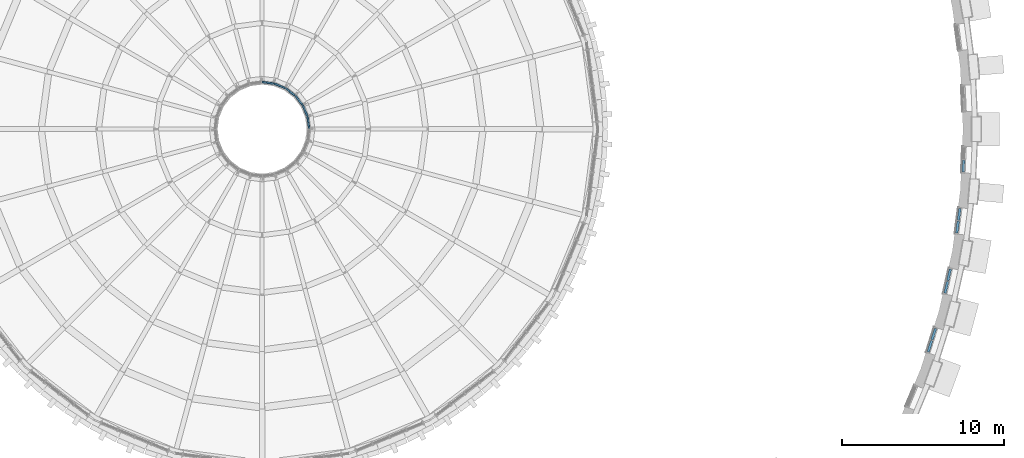
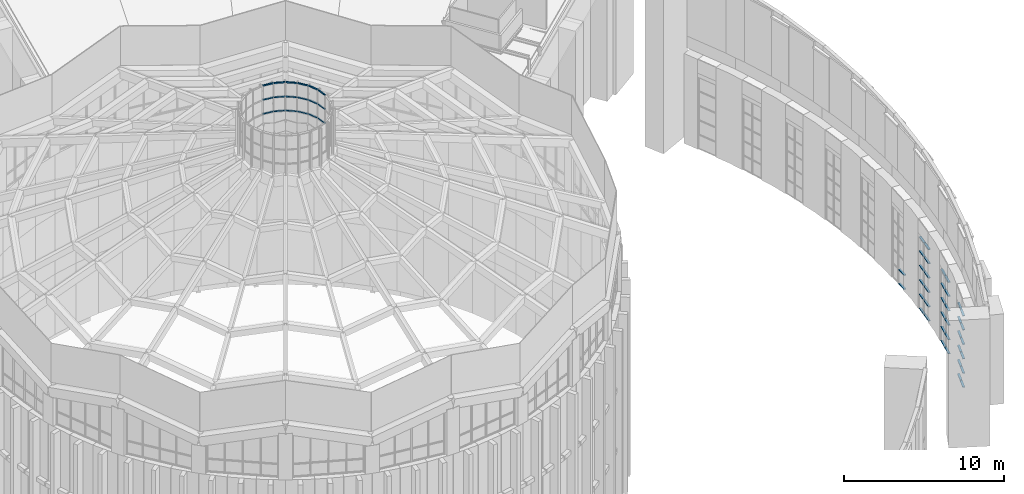
# One storey, part 33 of 82: 56 members, 10 elements without a shape of their own.
"""IFC4 building model written with IfcOpenShell, lengths in metres."""

from ifc_helpers import new_model, si_unit, direction, frame, origin, origin_2d, place, context, subcontext, project, spatial, rectangle, extrude, material, layer, layer_set, material_profile, profile_set, type_object, element, aggregate, save


model = new_model("IFC4")

# Units and contexts
model_context = context("Model", 3, precision=1e-05, world=origin(), true_north=direction((0.0, 1.0)))
body_context = subcontext(model_context, "Body", "Model", "MODEL_VIEW")
ifc_project = project(units=[si_unit("LENGTHUNIT", "METRE"), si_unit("AREAUNIT", "SQUARE_METRE"), si_unit("VOLUMEUNIT", "CUBIC_METRE"), si_unit("PLANEANGLEUNIT", "RADIAN"), si_unit("MASSUNIT", "GRAM", prefix="KILO")], contexts=[model_context])

# Site, building, storey
site_placement = place(None, origin())
site = spatial("IfcSite", under=ifc_project, at=site_placement, CompositionType="ELEMENT")
building_placement = place(site_placement, origin())
building = spatial("IfcBuilding", under=site, at=building_placement, Name="Volute Hill Aquarium", CompositionType="ELEMENT")
storey_placement = place(building_placement, frame((0.0, 0.0, 13.800048828125)))
storey = spatial("IfcBuildingStorey", under=building, at=storey_placement, Name="L04", CompositionType="ELEMENT", Elevation=13.800048828125)

# Curtain wall, members
ifc_material_1 = material(Name="Aluminium", Category="aluminium")
ifc_layer_1 = layer(ifc_material_1, 0.25)
ifc_layer_set_1 = layer_set([ifc_layer_1], Name="Curtain wall niche S4 module 819")
curtain_wall_type_1 = type_object("IfcCurtainWallType", Name="Curtain wall niche S4 module 819", PredefinedType="NOTDEFINED", material=ifc_layer_set_1)
curtain_wall_1_placement = place(storey_placement, origin())
curtain_wall_1 = element("IfcCurtainWall", 1, at=curtain_wall_1_placement, inside=storey, type_object=curtain_wall_type_1, Name="Curtain wall CW S4 L04 2", PredefinedType="NOTDEFINED")
ifc_material_2 = material(Name="Aluminium", Category="aluminium")
ifc_material_profile_1 = material_profile(ifc_material_2, rectangle(XDim=0.14990234375, YDim=0.06005859375, at=origin_2d()), Name="Curtain wall transom S4 60x150")
ifc_profile_set_1 = profile_set([ifc_material_profile_1], Name="Aluminium")
member_type_1 = type_object("IfcMemberType", Name="Curtain wall transom S4 60x150", PredefinedType="USERDEFINED", material=ifc_profile_set_1)
member_1_placement = place(storey_placement, frame((41.052001953125, -13.7392578125, 0.030029296875), z_axis=(0.300810716557, 0.953683864184, 0.0), x_axis=(-0.953683864184, 0.300810716557, 0.0)))
member_1 = element("IfcMember", 2, at=member_1_placement, type_object=member_type_1, Name="CW transom 1.1", ObjectType="TRANSOM", PredefinedType="USERDEFINED", context=body_context, shape_type="SweptSolid", body=[
    extrude(rectangle(XDim=0.14990234375, YDim=0.06005859375, at=origin_2d()), origin(), (0.0, 0.0, 1.0), 0.728759765625),
])
member_2_placement = place(storey_placement, frame((41.052001953125, -13.7392578125, 1.10205078125), z_axis=(0.300810716557, 0.953683864184, 0.0), x_axis=(-0.953683864184, 0.300810716557, 0.0)))
member_2 = element("IfcMember", 3, at=member_2_placement, type_object=member_type_1, Name="CW transom 1.2", ObjectType="TRANSOM", PredefinedType="USERDEFINED", context=body_context, shape_type="SweptSolid", body=[
    extrude(rectangle(XDim=0.14990234375, YDim=0.06005859375, at=origin_2d()), origin(), (0.0, 0.0, 1.0), 0.728759765625),
])
member_3_placement = place(storey_placement, frame((41.052001953125, -13.7392578125, 2.2041015625), z_axis=(0.300810716557, 0.953683864184, 0.0), x_axis=(-0.953683864184, 0.300810716557, 0.0)))
member_3 = element("IfcMember", 4, at=member_3_placement, type_object=member_type_1, Name="CW transom 1.3", ObjectType="TRANSOM", PredefinedType="USERDEFINED", context=body_context, shape_type="SweptSolid", body=[
    extrude(rectangle(XDim=0.14990234375, YDim=0.06005859375, at=origin_2d()), origin(), (0.0, 0.0, 1.0), 0.728759765625),
])
member_4_placement = place(storey_placement, frame((41.052001953125, -13.7392578125, 3.30615234375), z_axis=(0.300810716557, 0.953683864184, 0.0), x_axis=(-0.953683864184, 0.300810716557, 0.0)))
member_4 = element("IfcMember", 5, at=member_4_placement, type_object=member_type_1, Name="CW transom 1.4", ObjectType="TRANSOM", PredefinedType="USERDEFINED", context=body_context, shape_type="SweptSolid", body=[
    extrude(rectangle(XDim=0.14990234375, YDim=0.06005859375, at=origin_2d()), origin(), (0.0, 0.0, 1.0), 0.728759765625),
])
member_5_placement = place(storey_placement, frame((41.052001953125, -13.7392578125, 4.408203125), z_axis=(0.300810716557, 0.953683864184, 0.0), x_axis=(-0.953683864184, 0.300810716557, 0.0)))
member_5 = element("IfcMember", 6, at=member_5_placement, type_object=member_type_1, Name="CW transom 1.5", ObjectType="TRANSOM", PredefinedType="USERDEFINED", context=body_context, shape_type="SweptSolid", body=[
    extrude(rectangle(XDim=0.14990234375, YDim=0.06005859375, at=origin_2d()), origin(), (0.0, 0.0, 1.0), 0.728759765625),
])
member_6_placement = place(storey_placement, frame((41.052001953125, -13.7392578125, 5.48046875), z_axis=(0.300810716557, 0.953683864184, 0.0), x_axis=(-0.953683864184, 0.300810716557, 0.0)))
member_6 = element("IfcMember", 7, at=member_6_placement, type_object=member_type_1, Name="CW transom 1.6", ObjectType="TRANSOM", PredefinedType="USERDEFINED", context=body_context, shape_type="SweptSolid", body=[
    extrude(rectangle(XDim=0.14990234375, YDim=0.06005859375, at=origin_2d()), origin(), (0.0, 0.0, 1.0), 0.728759765625),
])
member_7_placement = place(storey_placement, frame((41.289306640625, -12.987060546875, 0.030029296875), z_axis=(0.300506003221, 0.953779923267, 0.0), x_axis=(-0.953779923267, 0.300506003221, 0.0)))
member_7 = element("IfcMember", 8, at=member_7_placement, type_object=member_type_1, Name="CW transom 2.1", ObjectType="TRANSOM", PredefinedType="USERDEFINED", context=body_context, shape_type="SweptSolid", body=[
    extrude(rectangle(XDim=0.14990234375, YDim=0.06005859375, at=origin_2d()), origin(), (0.0, 0.0, 1.0), 0.728759765625),
])
member_8_placement = place(storey_placement, frame((41.289306640625, -12.987060546875, 1.10205078125), z_axis=(0.300506003221, 0.953779923267, 0.0), x_axis=(-0.953779923267, 0.300506003221, 0.0)))
member_8 = element("IfcMember", 9, at=member_8_placement, type_object=member_type_1, Name="CW transom 2.2", ObjectType="TRANSOM", PredefinedType="USERDEFINED", context=body_context, shape_type="SweptSolid", body=[
    extrude(rectangle(XDim=0.14990234375, YDim=0.06005859375, at=origin_2d()), origin(), (0.0, 0.0, 1.0), 0.728759765625),
])
member_9_placement = place(storey_placement, frame((41.289306640625, -12.987060546875, 2.2041015625), z_axis=(0.300506003221, 0.953779923267, 0.0), x_axis=(-0.953779923267, 0.300506003221, 0.0)))
member_9 = element("IfcMember", 10, at=member_9_placement, type_object=member_type_1, Name="CW transom 2.3", ObjectType="TRANSOM", PredefinedType="USERDEFINED", context=body_context, shape_type="SweptSolid", body=[
    extrude(rectangle(XDim=0.14990234375, YDim=0.06005859375, at=origin_2d()), origin(), (0.0, 0.0, 1.0), 0.728759765625),
])
member_10_placement = place(storey_placement, frame((41.289306640625, -12.987060546875, 3.30615234375), z_axis=(0.300506003221, 0.953779923267, 0.0), x_axis=(-0.953779923267, 0.300506003221, 0.0)))
member_10 = element("IfcMember", 11, at=member_10_placement, type_object=member_type_1, Name="CW transom 2.4", ObjectType="TRANSOM", PredefinedType="USERDEFINED", context=body_context, shape_type="SweptSolid", body=[
    extrude(rectangle(XDim=0.14990234375, YDim=0.06005859375, at=origin_2d()), origin(), (0.0, 0.0, 1.0), 0.728759765625),
])
member_11_placement = place(storey_placement, frame((41.289306640625, -12.987060546875, 4.408203125), z_axis=(0.300506003221, 0.953779923267, 0.0), x_axis=(-0.953779923267, 0.300506003221, 0.0)))
member_11 = element("IfcMember", 12, at=member_11_placement, type_object=member_type_1, Name="CW transom 2.5", ObjectType="TRANSOM", PredefinedType="USERDEFINED", context=body_context, shape_type="SweptSolid", body=[
    extrude(rectangle(XDim=0.14990234375, YDim=0.06005859375, at=origin_2d()), origin(), (0.0, 0.0, 1.0), 0.728759765625),
])
member_12_placement = place(storey_placement, frame((41.289306640625, -12.987060546875, 5.48046875), z_axis=(0.300506003221, 0.953779923267, 0.0), x_axis=(-0.953779923267, 0.300506003221, 0.0)))
member_12 = element("IfcMember", 13, at=member_12_placement, type_object=member_type_1, Name="CW transom 2.6", ObjectType="TRANSOM", PredefinedType="USERDEFINED", context=body_context, shape_type="SweptSolid", body=[
    extrude(rectangle(XDim=0.14990234375, YDim=0.06005859375, at=origin_2d()), origin(), (0.0, 0.0, 1.0), 0.728759765625),
])
aggregate(curtain_wall_1, [member_1, member_2, member_3, member_4, member_5, member_6, member_7, member_8, member_9, member_10, member_11, member_12])

curtain_wall_2_placement = place(storey_placement, origin())
curtain_wall_2 = element("IfcCurtainWall", 14, at=curtain_wall_2_placement, inside=storey, type_object=curtain_wall_type_1, Name="Curtain wall CW S4 L04 3", PredefinedType="NOTDEFINED")
member_13_placement = place(storey_placement, frame((42.09326171875, -10.109130859375, 0.030029296875), z_axis=(0.216433786926, 0.976297298919, 0.0), x_axis=(-0.976297298919, 0.216433786926, 0.0)))
member_13 = element("IfcMember", 15, at=member_13_placement, type_object=member_type_1, Name="CW transom 1.1", ObjectType="TRANSOM", PredefinedType="USERDEFINED", context=body_context, shape_type="SweptSolid", body=[
    extrude(rectangle(XDim=0.14990234375, YDim=0.06005859375, at=origin_2d()), origin(), (0.0, 0.0, 1.0), 0.728759765625),
])
member_14_placement = place(storey_placement, frame((42.09326171875, -10.109130859375, 1.10205078125), z_axis=(0.216433786926, 0.976297298919, 0.0), x_axis=(-0.976297298919, 0.216433786926, 0.0)))
member_14 = element("IfcMember", 16, at=member_14_placement, type_object=member_type_1, Name="CW transom 1.2", ObjectType="TRANSOM", PredefinedType="USERDEFINED", context=body_context, shape_type="SweptSolid", body=[
    extrude(rectangle(XDim=0.14990234375, YDim=0.06005859375, at=origin_2d()), origin(), (0.0, 0.0, 1.0), 0.728759765625),
])
member_15_placement = place(storey_placement, frame((42.09326171875, -10.109130859375, 2.2041015625), z_axis=(0.216433786926, 0.976297298919, 0.0), x_axis=(-0.976297298919, 0.216433786926, 0.0)))
member_15 = element("IfcMember", 17, at=member_15_placement, type_object=member_type_1, Name="CW transom 1.3", ObjectType="TRANSOM", PredefinedType="USERDEFINED", context=body_context, shape_type="SweptSolid", body=[
    extrude(rectangle(XDim=0.14990234375, YDim=0.06005859375, at=origin_2d()), origin(), (0.0, 0.0, 1.0), 0.728759765625),
])
member_16_placement = place(storey_placement, frame((42.09326171875, -10.109130859375, 3.30615234375), z_axis=(0.216433786926, 0.976297298919, 0.0), x_axis=(-0.976297298919, 0.216433786926, 0.0)))
member_16 = element("IfcMember", 18, at=member_16_placement, type_object=member_type_1, Name="CW transom 1.4", ObjectType="TRANSOM", PredefinedType="USERDEFINED", context=body_context, shape_type="SweptSolid", body=[
    extrude(rectangle(XDim=0.14990234375, YDim=0.06005859375, at=origin_2d()), origin(), (0.0, 0.0, 1.0), 0.728759765625),
])
member_17_placement = place(storey_placement, frame((42.09326171875, -10.109130859375, 4.408203125), z_axis=(0.216433786926, 0.976297298919, 0.0), x_axis=(-0.976297298919, 0.216433786926, 0.0)))
member_17 = element("IfcMember", 19, at=member_17_placement, type_object=member_type_1, Name="CW transom 1.5", ObjectType="TRANSOM", PredefinedType="USERDEFINED", context=body_context, shape_type="SweptSolid", body=[
    extrude(rectangle(XDim=0.14990234375, YDim=0.06005859375, at=origin_2d()), origin(), (0.0, 0.0, 1.0), 0.728759765625),
])
member_18_placement = place(storey_placement, frame((42.09326171875, -10.109130859375, 5.48046875), z_axis=(0.216433786926, 0.976297298919, 0.0), x_axis=(-0.976297298919, 0.216433786926, 0.0)))
member_18 = element("IfcMember", 20, at=member_18_placement, type_object=member_type_1, Name="CW transom 1.6", ObjectType="TRANSOM", PredefinedType="USERDEFINED", context=body_context, shape_type="SweptSolid", body=[
    extrude(rectangle(XDim=0.14990234375, YDim=0.06005859375, at=origin_2d()), origin(), (0.0, 0.0, 1.0), 0.728759765625),
])
member_19_placement = place(storey_placement, frame((42.263916015625, -9.339111328125, 0.030029296875), z_axis=(0.216433786926, 0.976297298919, 0.0), x_axis=(-0.976297298919, 0.216433786926, 0.0)))
member_19 = element("IfcMember", 21, at=member_19_placement, type_object=member_type_1, Name="CW transom 2.1", ObjectType="TRANSOM", PredefinedType="USERDEFINED", context=body_context, shape_type="SweptSolid", body=[
    extrude(rectangle(XDim=0.14990234375, YDim=0.06005859375, at=origin_2d()), origin(), (0.0, 0.0, 1.0), 0.728759765625),
])
member_20_placement = place(storey_placement, frame((42.263916015625, -9.339111328125, 1.10205078125), z_axis=(0.216433786926, 0.976297298919, 0.0), x_axis=(-0.976297298919, 0.216433786926, 0.0)))
member_20 = element("IfcMember", 22, at=member_20_placement, type_object=member_type_1, Name="CW transom 2.2", ObjectType="TRANSOM", PredefinedType="USERDEFINED", context=body_context, shape_type="SweptSolid", body=[
    extrude(rectangle(XDim=0.14990234375, YDim=0.06005859375, at=origin_2d()), origin(), (0.0, 0.0, 1.0), 0.728759765625),
])
member_21_placement = place(storey_placement, frame((42.263916015625, -9.339111328125, 2.2041015625), z_axis=(0.216433786926, 0.976297298919, 0.0), x_axis=(-0.976297298919, 0.216433786926, 0.0)))
member_21 = element("IfcMember", 23, at=member_21_placement, type_object=member_type_1, Name="CW transom 2.3", ObjectType="TRANSOM", PredefinedType="USERDEFINED", context=body_context, shape_type="SweptSolid", body=[
    extrude(rectangle(XDim=0.14990234375, YDim=0.06005859375, at=origin_2d()), origin(), (0.0, 0.0, 1.0), 0.728759765625),
])
member_22_placement = place(storey_placement, frame((42.263916015625, -9.339111328125, 3.30615234375), z_axis=(0.216433786926, 0.976297298919, 0.0), x_axis=(-0.976297298919, 0.216433786926, 0.0)))
member_22 = element("IfcMember", 24, at=member_22_placement, type_object=member_type_1, Name="CW transom 2.4", ObjectType="TRANSOM", PredefinedType="USERDEFINED", context=body_context, shape_type="SweptSolid", body=[
    extrude(rectangle(XDim=0.14990234375, YDim=0.06005859375, at=origin_2d()), origin(), (0.0, 0.0, 1.0), 0.728759765625),
])
member_23_placement = place(storey_placement, frame((42.263916015625, -9.339111328125, 4.408203125), z_axis=(0.216433786926, 0.976297298919, 0.0), x_axis=(-0.976297298919, 0.216433786926, 0.0)))
member_23 = element("IfcMember", 25, at=member_23_placement, type_object=member_type_1, Name="CW transom 2.5", ObjectType="TRANSOM", PredefinedType="USERDEFINED", context=body_context, shape_type="SweptSolid", body=[
    extrude(rectangle(XDim=0.14990234375, YDim=0.06005859375, at=origin_2d()), origin(), (0.0, 0.0, 1.0), 0.728759765625),
])
member_24_placement = place(storey_placement, frame((42.263916015625, -9.339111328125, 5.48046875), z_axis=(0.216433786926, 0.976297298919, 0.0), x_axis=(-0.976297298919, 0.216433786926, 0.0)))
member_24 = element("IfcMember", 26, at=member_24_placement, type_object=member_type_1, Name="CW transom 2.6", ObjectType="TRANSOM", PredefinedType="USERDEFINED", context=body_context, shape_type="SweptSolid", body=[
    extrude(rectangle(XDim=0.14990234375, YDim=0.06005859375, at=origin_2d()), origin(), (0.0, 0.0, 1.0), 0.728759765625),
])
aggregate(curtain_wall_2, [member_13, member_14, member_15, member_16, member_17, member_18, member_19, member_20, member_21, member_22, member_23, member_24])

curtain_wall_3_placement = place(storey_placement, origin())
curtain_wall_3 = element("IfcCurtainWall", 27, at=curtain_wall_3_placement, inside=storey, type_object=curtain_wall_type_1, Name="Curtain wall CW S4 L04 4", PredefinedType="NOTDEFINED")
member_25_placement = place(storey_placement, frame((42.814208984375, -6.40185546875, 0.030029296875), z_axis=(0.130341833664, 0.991469115201, 0.0), x_axis=(-0.991469115201, 0.130341833664, 0.0)))
member_25 = element("IfcMember", 28, at=member_25_placement, type_object=member_type_1, Name="CW transom 1.1", ObjectType="TRANSOM", PredefinedType="USERDEFINED", context=body_context, shape_type="SweptSolid", body=[
    extrude(rectangle(XDim=0.14990234375, YDim=0.06005859375, at=origin_2d()), origin(), (0.0, 0.0, 1.0), 0.728515625),
])
member_26_placement = place(storey_placement, frame((42.814208984375, -6.40185546875, 1.10205078125), z_axis=(0.130341833664, 0.991469115201, 0.0), x_axis=(-0.991469115201, 0.130341833664, 0.0)))
member_26 = element("IfcMember", 29, at=member_26_placement, type_object=member_type_1, Name="CW transom 1.2", ObjectType="TRANSOM", PredefinedType="USERDEFINED", context=body_context, shape_type="SweptSolid", body=[
    extrude(rectangle(XDim=0.14990234375, YDim=0.06005859375, at=origin_2d()), origin(), (0.0, 0.0, 1.0), 0.728515625),
])
member_27_placement = place(storey_placement, frame((42.814208984375, -6.40185546875, 2.2041015625), z_axis=(0.130341833664, 0.991469115201, 0.0), x_axis=(-0.991469115201, 0.130341833664, 0.0)))
member_27 = element("IfcMember", 30, at=member_27_placement, type_object=member_type_1, Name="CW transom 1.3", ObjectType="TRANSOM", PredefinedType="USERDEFINED", context=body_context, shape_type="SweptSolid", body=[
    extrude(rectangle(XDim=0.14990234375, YDim=0.06005859375, at=origin_2d()), origin(), (0.0, 0.0, 1.0), 0.728515625),
])
member_28_placement = place(storey_placement, frame((42.814208984375, -6.40185546875, 3.30615234375), z_axis=(0.130341833664, 0.991469115201, 0.0), x_axis=(-0.991469115201, 0.130341833664, 0.0)))
member_28 = element("IfcMember", 31, at=member_28_placement, type_object=member_type_1, Name="CW transom 1.4", ObjectType="TRANSOM", PredefinedType="USERDEFINED", context=body_context, shape_type="SweptSolid", body=[
    extrude(rectangle(XDim=0.14990234375, YDim=0.06005859375, at=origin_2d()), origin(), (0.0, 0.0, 1.0), 0.728515625),
])
member_29_placement = place(storey_placement, frame((42.814208984375, -6.40185546875, 4.408203125), z_axis=(0.130341833664, 0.991469115201, 0.0), x_axis=(-0.991469115201, 0.130341833664, 0.0)))
member_29 = element("IfcMember", 32, at=member_29_placement, type_object=member_type_1, Name="CW transom 1.5", ObjectType="TRANSOM", PredefinedType="USERDEFINED", context=body_context, shape_type="SweptSolid", body=[
    extrude(rectangle(XDim=0.14990234375, YDim=0.06005859375, at=origin_2d()), origin(), (0.0, 0.0, 1.0), 0.728515625),
])
member_30_placement = place(storey_placement, frame((42.814208984375, -6.40185546875, 5.48046875), z_axis=(0.130341833664, 0.991469115201, 0.0), x_axis=(-0.991469115201, 0.130341833664, 0.0)))
member_30 = element("IfcMember", 33, at=member_30_placement, type_object=member_type_1, Name="CW transom 1.6", ObjectType="TRANSOM", PredefinedType="USERDEFINED", context=body_context, shape_type="SweptSolid", body=[
    extrude(rectangle(XDim=0.14990234375, YDim=0.06005859375, at=origin_2d()), origin(), (0.0, 0.0, 1.0), 0.728515625),
])
member_31_placement = place(storey_placement, frame((42.9169921875, -5.619873046875, 0.030029296875), z_axis=(0.130671188566, 0.991425761456, 0.0), x_axis=(-0.991425761456, 0.130671188566, 0.0)))
member_31 = element("IfcMember", 34, at=member_31_placement, type_object=member_type_1, Name="CW transom 2.1", ObjectType="TRANSOM", PredefinedType="USERDEFINED", context=body_context, shape_type="SweptSolid", body=[
    extrude(rectangle(XDim=0.14990234375, YDim=0.06005859375, at=origin_2d()), origin(), (0.0, 0.0, 1.0), 0.728759765625),
])
member_32_placement = place(storey_placement, frame((42.9169921875, -5.619873046875, 1.10205078125), z_axis=(0.130671188566, 0.991425761456, 0.0), x_axis=(-0.991425761456, 0.130671188566, 0.0)))
member_32 = element("IfcMember", 35, at=member_32_placement, type_object=member_type_1, Name="CW transom 2.2", ObjectType="TRANSOM", PredefinedType="USERDEFINED", context=body_context, shape_type="SweptSolid", body=[
    extrude(rectangle(XDim=0.14990234375, YDim=0.06005859375, at=origin_2d()), origin(), (0.0, 0.0, 1.0), 0.728759765625),
])
member_33_placement = place(storey_placement, frame((42.9169921875, -5.619873046875, 2.2041015625), z_axis=(0.130671188566, 0.991425761456, 0.0), x_axis=(-0.991425761456, 0.130671188566, 0.0)))
member_33 = element("IfcMember", 36, at=member_33_placement, type_object=member_type_1, Name="CW transom 2.3", ObjectType="TRANSOM", PredefinedType="USERDEFINED", context=body_context, shape_type="SweptSolid", body=[
    extrude(rectangle(XDim=0.14990234375, YDim=0.06005859375, at=origin_2d()), origin(), (0.0, 0.0, 1.0), 0.728759765625),
])
member_34_placement = place(storey_placement, frame((42.9169921875, -5.619873046875, 3.30615234375), z_axis=(0.130671188566, 0.991425761456, 0.0), x_axis=(-0.991425761456, 0.130671188566, 0.0)))
member_34 = element("IfcMember", 37, at=member_34_placement, type_object=member_type_1, Name="CW transom 2.4", ObjectType="TRANSOM", PredefinedType="USERDEFINED", context=body_context, shape_type="SweptSolid", body=[
    extrude(rectangle(XDim=0.14990234375, YDim=0.06005859375, at=origin_2d()), origin(), (0.0, 0.0, 1.0), 0.728759765625),
])
member_35_placement = place(storey_placement, frame((42.9169921875, -5.619873046875, 4.408203125), z_axis=(0.130671188566, 0.991425761456, 0.0), x_axis=(-0.991425761456, 0.130671188566, 0.0)))
member_35 = element("IfcMember", 38, at=member_35_placement, type_object=member_type_1, Name="CW transom 2.5", ObjectType="TRANSOM", PredefinedType="USERDEFINED", context=body_context, shape_type="SweptSolid", body=[
    extrude(rectangle(XDim=0.14990234375, YDim=0.06005859375, at=origin_2d()), origin(), (0.0, 0.0, 1.0), 0.728759765625),
])
member_36_placement = place(storey_placement, frame((42.9169921875, -5.619873046875, 5.48046875), z_axis=(0.130671188566, 0.991425761456, 0.0), x_axis=(-0.991425761456, 0.130671188566, 0.0)))
member_36 = element("IfcMember", 39, at=member_36_placement, type_object=member_type_1, Name="CW transom 2.6", ObjectType="TRANSOM", PredefinedType="USERDEFINED", context=body_context, shape_type="SweptSolid", body=[
    extrude(rectangle(XDim=0.14990234375, YDim=0.06005859375, at=origin_2d()), origin(), (0.0, 0.0, 1.0), 0.728759765625),
])
aggregate(curtain_wall_3, [member_25, member_26, member_27, member_28, member_29, member_30, member_31, member_32, member_33, member_34, member_35, member_36])

curtain_wall_4_placement = place(storey_placement, origin())
curtain_wall_4 = element("IfcCurtainWall", 40, at=curtain_wall_4_placement, inside=storey, type_object=curtain_wall_type_1, Name="Curtain wall CW S4 L04 5", PredefinedType="NOTDEFINED")
member_37_placement = place(storey_placement, frame((43.209228515625, -2.64599609375, 0.030029296875), z_axis=(0.04355353531, 0.99905109457, 0.0), x_axis=(-0.99905109457, 0.04355353531, 0.0)))
member_37 = element("IfcMember", 41, at=member_37_placement, type_object=member_type_1, Name="CW transom 1.1", ObjectType="TRANSOM", PredefinedType="USERDEFINED", context=body_context, shape_type="SweptSolid", body=[
    extrude(rectangle(XDim=0.14990234375, YDim=0.06005859375, at=origin_2d()), origin(), (0.0, 0.0, 1.0), 0.728759765625),
])
member_38_placement = place(storey_placement, frame((43.209228515625, -2.64599609375, 1.10205078125), z_axis=(0.04355353531, 0.99905109457, 0.0), x_axis=(-0.99905109457, 0.04355353531, 0.0)))
member_38 = element("IfcMember", 42, at=member_38_placement, type_object=member_type_1, Name="CW transom 1.2", ObjectType="TRANSOM", PredefinedType="USERDEFINED", context=body_context, shape_type="SweptSolid", body=[
    extrude(rectangle(XDim=0.14990234375, YDim=0.06005859375, at=origin_2d()), origin(), (0.0, 0.0, 1.0), 0.728759765625),
])
aggregate(curtain_wall_4, [member_37, member_38])

ifc_material_3 = material(Name="Aluminium", Category="aluminium")
ifc_layer_2 = layer(ifc_material_3, 0.139892578125)
ifc_layer_set_2 = layer_set([ifc_layer_2], Name="Curtain wall DR lantern module 757")
curtain_wall_type_2 = type_object("IfcCurtainWallType", Name="Curtain wall DR lantern module 757", PredefinedType="NOTDEFINED", material=ifc_layer_set_2)
curtain_wall_5_placement = place(storey_placement, origin())
curtain_wall_5 = element("IfcCurtainWall", 43, at=curtain_wall_5_placement, inside=storey, type_object=curtain_wall_type_2, Name="Curtain wall CW DR lantern l00", PredefinedType="NOTDEFINED")
ifc_material_4 = material(Name="Aluminium", Category="aluminium")
ifc_material_profile_2 = material_profile(ifc_material_4, rectangle(XDim=0.10009765625, YDim=0.050048828125, at=origin_2d()), Name="Curtain wall transom lantern 50x100")
ifc_profile_set_2 = profile_set([ifc_material_profile_2], Name="Aluminium")
member_type_2 = type_object("IfcMemberType", Name="Curtain wall transom lantern 50x100", PredefinedType="USERDEFINED", material=ifc_profile_set_2)
member_39_placement = place(storey_placement, frame((2.8935546875, 0.049560546875, 25.191650390625), z_axis=(-0.13053490902, 0.991443713746, 0.0), x_axis=(-0.991443713746, -0.13053490902, 0.0)))
member_39 = element("IfcMember", 44, at=member_39_placement, type_object=member_type_2, Name="Transom DR lantern 1.1", ObjectType="TRANSOM", PredefinedType="USERDEFINED", context=body_context, shape_type="SweptSolid", body=[
    extrude(rectangle(XDim=0.10009765625, YDim=0.050048828125, at=origin_2d()), origin(), (0.0, 0.0, 1.0), 0.70703125),
])
member_40_placement = place(storey_placement, frame((2.8935546875, 0.049560546875, 26.2666015625), z_axis=(-0.13053490902, 0.991443713746, 0.0), x_axis=(-0.991443713746, -0.13053490902, 0.0)))
member_40 = element("IfcMember", 45, at=member_40_placement, type_object=member_type_2, Name="Transom DR lantern 1.2", ObjectType="TRANSOM", PredefinedType="USERDEFINED", context=body_context, shape_type="SweptSolid", body=[
    extrude(rectangle(XDim=0.10009765625, YDim=0.050048828125, at=origin_2d()), origin(), (0.0, 0.0, 1.0), 0.70703125),
])
member_41_placement = place(storey_placement, frame((2.8935546875, 0.049560546875, 27.341552734375), z_axis=(-0.13053490902, 0.991443713746, 0.0), x_axis=(-0.991443713746, -0.13053490902, 0.0)))
member_41 = element("IfcMember", 46, at=member_41_placement, type_object=member_type_2, Name="Head member DR lantern 1", ObjectType="TRANSOM", PredefinedType="USERDEFINED", context=body_context, shape_type="SweptSolid", body=[
    extrude(rectangle(XDim=0.10009765625, YDim=0.050048828125, at=origin_2d()), origin(), (0.0, 0.0, 1.0), 0.70703125),
])
aggregate(curtain_wall_5, [member_39, member_40, member_41])

curtain_wall_6_placement = place(storey_placement, origin())
curtain_wall_6 = element("IfcCurtainWall", 47, at=curtain_wall_6_placement, inside=storey, type_object=curtain_wall_type_2, Name="Curtain wall CW DR lantern l01", PredefinedType="NOTDEFINED")
member_42_placement = place(storey_placement, frame((2.781982421875, 0.796875, 25.191650390625), z_axis=(-0.382677159262, 0.923882130891, 0.0), x_axis=(-0.923882130891, -0.382677159262, 0.0)))
member_42 = element("IfcMember", 48, at=member_42_placement, type_object=member_type_2, Name="Transom DR lantern 1.1", ObjectType="TRANSOM", PredefinedType="USERDEFINED", context=body_context, shape_type="SweptSolid", body=[
    extrude(rectangle(XDim=0.10009765625, YDim=0.050048828125, at=origin_2d()), origin(), (0.0, 0.0, 1.0), 0.706787109375),
])
member_43_placement = place(storey_placement, frame((2.781982421875, 0.796875, 26.2666015625), z_axis=(-0.382677159262, 0.923882130891, 0.0), x_axis=(-0.923882130891, -0.382677159262, 0.0)))
member_43 = element("IfcMember", 49, at=member_43_placement, type_object=member_type_2, Name="Transom DR lantern 1.2", ObjectType="TRANSOM", PredefinedType="USERDEFINED", context=body_context, shape_type="SweptSolid", body=[
    extrude(rectangle(XDim=0.10009765625, YDim=0.050048828125, at=origin_2d()), origin(), (0.0, 0.0, 1.0), 0.706787109375),
])
member_44_placement = place(storey_placement, frame((2.781982421875, 0.796875, 27.341552734375), z_axis=(-0.382677159262, 0.923882130891, 0.0), x_axis=(-0.923882130891, -0.382677159262, 0.0)))
member_44 = element("IfcMember", 50, at=member_44_placement, type_object=member_type_2, Name="Head member DR lantern 1", ObjectType="TRANSOM", PredefinedType="USERDEFINED", context=body_context, shape_type="SweptSolid", body=[
    extrude(rectangle(XDim=0.10009765625, YDim=0.050048828125, at=origin_2d()), origin(), (0.0, 0.0, 1.0), 0.706787109375),
])
aggregate(curtain_wall_6, [member_42, member_43, member_44])

curtain_wall_7_placement = place(storey_placement, origin())
curtain_wall_7 = element("IfcCurtainWall", 51, at=curtain_wall_7_placement, inside=storey, type_object=curtain_wall_type_2, Name="Curtain wall CW DR lantern l02", PredefinedType="NOTDEFINED")
member_45_placement = place(storey_placement, frame((2.48095703125, 1.48974609375, 25.191650390625), z_axis=(-0.608859220631, 0.793278292564, 0.0), x_axis=(-0.793278292564, -0.608859220631, 0.0)))
member_45 = element("IfcMember", 52, at=member_45_placement, type_object=member_type_2, Name="Transom DR lantern 1.1", ObjectType="TRANSOM", PredefinedType="USERDEFINED", context=body_context, shape_type="SweptSolid", body=[
    extrude(rectangle(XDim=0.10009765625, YDim=0.050048828125, at=origin_2d()), origin(), (0.0, 0.0, 1.0), 0.70703125),
])
member_46_placement = place(storey_placement, frame((2.48095703125, 1.48974609375, 26.2666015625), z_axis=(-0.608859220631, 0.793278292564, 0.0), x_axis=(-0.793278292564, -0.608859220631, 0.0)))
member_46 = element("IfcMember", 53, at=member_46_placement, type_object=member_type_2, Name="Transom DR lantern 1.2", ObjectType="TRANSOM", PredefinedType="USERDEFINED", context=body_context, shape_type="SweptSolid", body=[
    extrude(rectangle(XDim=0.10009765625, YDim=0.050048828125, at=origin_2d()), origin(), (0.0, 0.0, 1.0), 0.70703125),
])
member_47_placement = place(storey_placement, frame((2.48095703125, 1.48974609375, 27.341552734375), z_axis=(-0.608859220631, 0.793278292564, 0.0), x_axis=(-0.793278292564, -0.608859220631, 0.0)))
member_47 = element("IfcMember", 54, at=member_47_placement, type_object=member_type_2, Name="Head member DR lantern 1", ObjectType="TRANSOM", PredefinedType="USERDEFINED", context=body_context, shape_type="SweptSolid", body=[
    extrude(rectangle(XDim=0.10009765625, YDim=0.050048828125, at=origin_2d()), origin(), (0.0, 0.0, 1.0), 0.70703125),
])
aggregate(curtain_wall_7, [member_45, member_46, member_47])

curtain_wall_8_placement = place(storey_placement, origin())
curtain_wall_8 = element("IfcCurtainWall", 55, at=curtain_wall_8_placement, inside=storey, type_object=curtain_wall_type_2, Name="Curtain wall CW DR lantern l03", PredefinedType="NOTDEFINED")
member_48_placement = place(storey_placement, frame((2.010986328125, 2.0810546875, 25.191650390625), z_axis=(-0.79340626602, 0.608692448648, 0.0), x_axis=(-0.608692448648, -0.79340626602, 0.0)))
member_48 = element("IfcMember", 56, at=member_48_placement, type_object=member_type_2, Name="Transom DR lantern 1.1", ObjectType="TRANSOM", PredefinedType="USERDEFINED", context=body_context, shape_type="SweptSolid", body=[
    extrude(rectangle(XDim=0.10009765625, YDim=0.050048828125, at=origin_2d()), origin(), (0.0, 0.0, 1.0), 0.70703125),
])
member_49_placement = place(storey_placement, frame((2.010986328125, 2.0810546875, 26.2666015625), z_axis=(-0.79340626602, 0.608692448648, 0.0), x_axis=(-0.608692448648, -0.79340626602, 0.0)))
member_49 = element("IfcMember", 57, at=member_49_placement, type_object=member_type_2, Name="Transom DR lantern 1.2", ObjectType="TRANSOM", PredefinedType="USERDEFINED", context=body_context, shape_type="SweptSolid", body=[
    extrude(rectangle(XDim=0.10009765625, YDim=0.050048828125, at=origin_2d()), origin(), (0.0, 0.0, 1.0), 0.70703125),
])
member_50_placement = place(storey_placement, frame((2.010986328125, 2.0810546875, 27.341552734375), z_axis=(-0.79340626602, 0.608692448648, 0.0), x_axis=(-0.608692448648, -0.79340626602, 0.0)))
member_50 = element("IfcMember", 58, at=member_50_placement, type_object=member_type_2, Name="Head member DR lantern 1", ObjectType="TRANSOM", PredefinedType="USERDEFINED", context=body_context, shape_type="SweptSolid", body=[
    extrude(rectangle(XDim=0.10009765625, YDim=0.050048828125, at=origin_2d()), origin(), (0.0, 0.0, 1.0), 0.70703125),
])
aggregate(curtain_wall_8, [member_48, member_49, member_50])

curtain_wall_9_placement = place(storey_placement, origin())
curtain_wall_9 = element("IfcCurtainWall", 59, at=curtain_wall_9_placement, inside=storey, type_object=curtain_wall_type_2, Name="Curtain wall CW DR lantern l04", PredefinedType="NOTDEFINED")
member_51_placement = place(storey_placement, frame((1.40380859375, 2.530517578125, 25.191650390625), z_axis=(-0.923810617216, 0.382849766253, 0.0), x_axis=(-0.382849766253, -0.923810617216, 0.0)))
member_51 = element("IfcMember", 60, at=member_51_placement, type_object=member_type_2, Name="Transom DR lantern 1.1", ObjectType="TRANSOM", PredefinedType="USERDEFINED", context=body_context, shape_type="SweptSolid", body=[
    extrude(rectangle(XDim=0.10009765625, YDim=0.050048828125, at=origin_2d()), origin(), (0.0, 0.0, 1.0), 0.707275390625),
])
member_52_placement = place(storey_placement, frame((1.40380859375, 2.530517578125, 26.2666015625), z_axis=(-0.923810617216, 0.382849766253, 0.0), x_axis=(-0.382849766253, -0.923810617216, 0.0)))
member_52 = element("IfcMember", 61, at=member_52_placement, type_object=member_type_2, Name="Transom DR lantern 1.2", ObjectType="TRANSOM", PredefinedType="USERDEFINED", context=body_context, shape_type="SweptSolid", body=[
    extrude(rectangle(XDim=0.10009765625, YDim=0.050048828125, at=origin_2d()), origin(), (0.0, 0.0, 1.0), 0.707275390625),
])
member_53_placement = place(storey_placement, frame((1.40380859375, 2.530517578125, 27.341552734375), z_axis=(-0.923810617216, 0.382849766253, 0.0), x_axis=(-0.382849766253, -0.923810617216, 0.0)))
member_53 = element("IfcMember", 62, at=member_53_placement, type_object=member_type_2, Name="Head member DR lantern 1", ObjectType="TRANSOM", PredefinedType="USERDEFINED", context=body_context, shape_type="SweptSolid", body=[
    extrude(rectangle(XDim=0.10009765625, YDim=0.050048828125, at=origin_2d()), origin(), (0.0, 0.0, 1.0), 0.707275390625),
])
aggregate(curtain_wall_9, [member_51, member_52, member_53])

curtain_wall_10_placement = place(storey_placement, origin())
curtain_wall_10 = element("IfcCurtainWall", 63, at=curtain_wall_10_placement, inside=storey, type_object=curtain_wall_type_2, Name="Curtain wall CW DR lantern l05", PredefinedType="NOTDEFINED")
member_54_placement = place(storey_placement, frame((0.700927734375, 2.8076171875, 25.191650390625), z_axis=(-0.991443713746, 0.13053490902, 0.0), x_axis=(-0.13053490902, -0.991443713746, 0.0)))
member_54 = element("IfcMember", 64, at=member_54_placement, type_object=member_type_2, Name="Transom DR lantern 1.1", ObjectType="TRANSOM", PredefinedType="USERDEFINED", context=body_context, shape_type="SweptSolid", body=[
    extrude(rectangle(XDim=0.10009765625, YDim=0.050048828125, at=origin_2d()), origin(), (0.0, 0.0, 1.0), 0.70703125),
])
member_55_placement = place(storey_placement, frame((0.700927734375, 2.8076171875, 26.2666015625), z_axis=(-0.991443713746, 0.13053490902, 0.0), x_axis=(-0.13053490902, -0.991443713746, 0.0)))
member_55 = element("IfcMember", 65, at=member_55_placement, type_object=member_type_2, Name="Transom DR lantern 1.2", ObjectType="TRANSOM", PredefinedType="USERDEFINED", context=body_context, shape_type="SweptSolid", body=[
    extrude(rectangle(XDim=0.10009765625, YDim=0.050048828125, at=origin_2d()), origin(), (0.0, 0.0, 1.0), 0.70703125),
])
member_56_placement = place(storey_placement, frame((0.700927734375, 2.8076171875, 27.341552734375), z_axis=(-0.991443713746, 0.13053490902, 0.0), x_axis=(-0.13053490902, -0.991443713746, 0.0)))
member_56 = element("IfcMember", 66, at=member_56_placement, type_object=member_type_2, Name="Head member DR lantern 1", ObjectType="TRANSOM", PredefinedType="USERDEFINED", context=body_context, shape_type="SweptSolid", body=[
    extrude(rectangle(XDim=0.10009765625, YDim=0.050048828125, at=origin_2d()), origin(), (0.0, 0.0, 1.0), 0.70703125),
])
aggregate(curtain_wall_10, [member_54, member_55, member_56])

save(model, "model.ifc")
